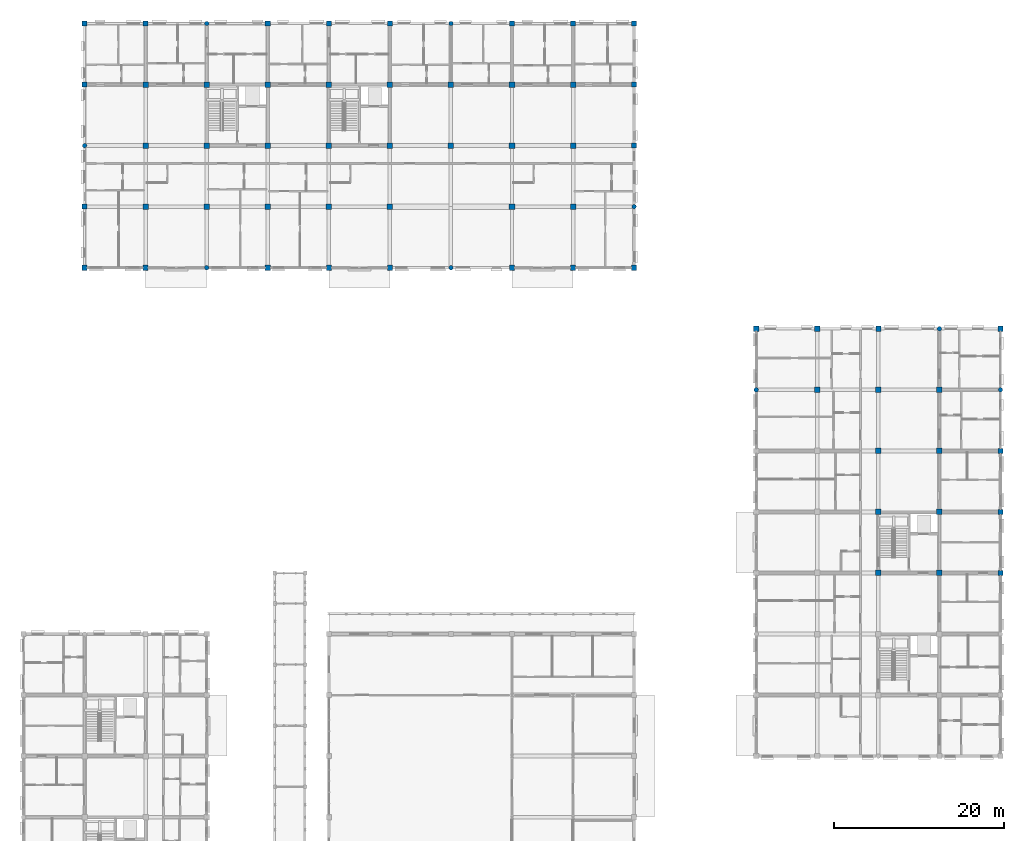
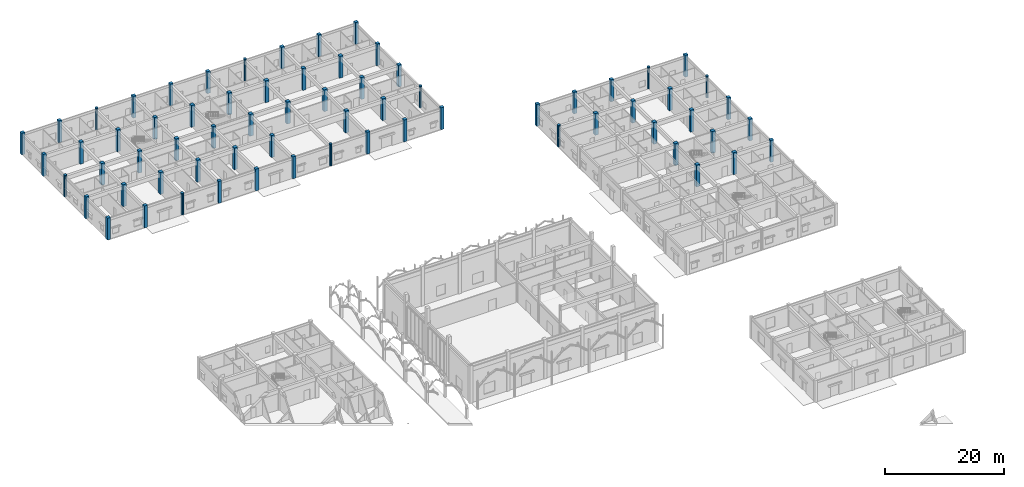
# One storey, part 13 of 138: 68 columns.
"""IFC4 building model written with IfcOpenShell, lengths in metres."""

from ifc_helpers import new_model, si_unit, direction, frame, origin, origin_2d, place, context, subcontext, project, spatial, rectangle, circle, extrude, material, material_profile, profile_set, type_object, element, save


model = new_model("IFC4")

# Units and contexts
model_context = context("Model", 3, precision=1e-05, world=origin(), true_north=direction((0.0, 1.0)))
body_context = subcontext(model_context, "Body", "Model", "MODEL_VIEW")
ifc_project = project(units=[si_unit("LENGTHUNIT", "METRE"), si_unit("AREAUNIT", "SQUARE_METRE"), si_unit("VOLUMEUNIT", "CUBIC_METRE"), si_unit("PLANEANGLEUNIT", "RADIAN"), si_unit("MASSUNIT", "GRAM", prefix="KILO"), si_unit("THERMODYNAMICTEMPERATUREUNIT", "KELVIN"), si_unit("POWERUNIT", "WATT")], contexts=[model_context])

# Site, building, storey
site_placement = place(None, origin())
site = spatial("IfcSite", under=ifc_project, at=site_placement, CompositionType="ELEMENT")
building_placement = place(site_placement, origin())
building = spatial("IfcBuilding", under=site, at=building_placement, Name="Tavuni Mirador Residences", CompositionType="ELEMENT")
storey_placement = place(building_placement, origin())
storey = spatial("IfcBuildingStorey", under=building, at=storey_placement, Name="L00", CompositionType="ELEMENT", Elevation=0.0)

# Columns
ifc_material_1 = material(Name="Precast concrete C40/50", Category="concrete")
ifc_material_profile_1 = material_profile(ifc_material_1, rectangle(XDim=0.60009765625, YDim=0.60009765625, at=origin_2d()), Name="RC 600x600", Category="concrete")
ifc_profile_set_1 = profile_set([ifc_material_profile_1], Name="Precast concrete C40/50")
column_type_1 = type_object("IfcColumnType", Name="CT-RC600", PredefinedType="COLUMN", material=ifc_profile_set_1)
for number, where, z_axis, x_axis, name in (
    (1, (10.800048828125, 144.0, 0.0), (0.0, 0.0, 1.0), (1.0, 0.0, 0.0), "COL-BLK-C-L00-00-00"),
    (2, (10.800048828125, 151.199951171875, 0.0), (0.0, 0.0, 1.0), (1.0, 0.0, 0.0), "COL-BLK-C-L00-00-01"),
    (3, (10.800048828125, 165.60009765625, 0.0), (0.0, 0.0, 1.0), (1.0, 0.0, 0.0), "COL-BLK-C-L00-00-03"),
    (4, (10.800048828125, 172.800048828125, 0.0), (0.0, 0.0, 1.0), (1.0, 0.0, 0.0), "COL-BLK-C-L00-00-04"),
    (5, (18.0, 144.0, 0.0), (0.0, 0.0, 1.0), (1.0, 0.0, 0.0), "COL-BLK-C-L00-01-00"),
    (6, (18.0, 172.800048828125, 0.0), (0.0, 0.0, 1.0), (1.0, 0.0, 0.0), "COL-BLK-C-L00-01-04"),
    (7, (32.39990234375, 144.0, 0.0), (0.0, 0.0, 1.0), (1.0, 0.0, 0.0), "COL-BLK-C-L00-03-00"),
    (8, (32.39990234375, 172.800048828125, 0.0), (0.0, 0.0, 1.0), (1.0, 0.0, 0.0), "COL-BLK-C-L00-03-04"),
    (9, (39.60009765625, 144.0, 0.0), (0.0, 0.0, 1.0), (1.0, 0.0, 0.0), "COL-BLK-C-L00-04-00"),
    (10, (39.60009765625, 172.800048828125, 0.0), (0.0, 0.0, 1.0), (1.0, 0.0, 0.0), "COL-BLK-C-L00-04-04"),
    (11, (46.800048828125, 144.0, 0.0), (0.0, 0.0, 1.0), (1.0, 0.0, 0.0), "COL-BLK-C-L00-05-00"),
    (12, (46.800048828125, 172.800048828125, 0.0), (0.0, 0.0, 1.0), (1.0, 0.0, 0.0), "COL-BLK-C-L00-05-04"),
    (13, (61.199951171875, 144.0, 0.0), (0.0, 0.0, 1.0), (1.0, 0.0, 0.0), "COL-BLK-C-L00-07-00"),
    (14, (61.199951171875, 172.800048828125, 0.0), (0.0, 0.0, 1.0), (1.0, 0.0, 0.0), "COL-BLK-C-L00-07-04"),
    (15, (68.39990234375, 144.0, 0.0), (0.0, 0.0, 1.0), (1.0, 0.0, 0.0), "COL-BLK-C-L00-08-00"),
    (16, (68.39990234375, 172.800048828125, 0.0), (0.0, 0.0, 1.0), (1.0, 0.0, 0.0), "COL-BLK-C-L00-08-04"),
    (17, (75.60009765625, 144.0, 0.0), (0.0, 0.0, 1.0), (1.0, 0.0, 0.0), "COL-BLK-C-L00-09-00"),
    (18, (75.60009765625, 158.39990234375, 0.0), (0.0, 0.0, 1.0), (1.0, 0.0, 0.0), "COL-BLK-C-L00-09-02"),
    (19, (75.60009765625, 165.60009765625, 0.0), (0.0, 0.0, 1.0), (1.0, 0.0, 0.0), "COL-BLK-C-L00-09-03"),
    (20, (75.60009765625, 172.800048828125, 0.0), (0.0, 0.0, 1.0), (1.0, 0.0, 0.0), "COL-BLK-C-L00-09-04"),
    (21, (90.0, 136.800048828125, 0.0), (0.0, 0.0, 1.0), (1.0, 0.0, 0.0), "COL-BLK-D-L00-00-07"),
    (22, (97.199951171875, 136.800048828125, 0.0), (0.0, 0.0, 1.0), (1.0, 0.0, 0.0), "COL-BLK-D-L00-01-07"),
    (23, (104.39990234375, 136.800048828125, 0.0), (0.0, 0.0, 1.0), (1.0, 0.0, 0.0), "COL-BLK-D-L00-02-07"),
    (24, (118.800048828125, 108.0, 0.0), (0.0, 0.0, 1.0), (1.0, 0.0, 0.0), "COL-BLK-D-L00-04-03"),
    (25, (118.800048828125, 115.199951171875, 0.0), (0.0, 0.0, 1.0), (1.0, 0.0, 0.0), "COL-BLK-D-L00-04-04"),
    (26, (118.800048828125, 122.39990234375, 0.0), (0.0, 0.0, 1.0), (1.0, 0.0, 0.0), "COL-BLK-D-L00-04-05"),
    (27, (118.800048828125, 136.800048828125, 0.0), (0.0, 0.0, 1.0), (1.0, 0.0, 0.0), "COL-BLK-D-L00-04-07"),
):
    element("IfcColumn", number, at=place(storey_placement, frame(where, z_axis=z_axis, x_axis=x_axis)), inside=storey, type_object=column_type_1, Name=name, PredefinedType="COLUMN", context=body_context, shape_type="SweptSolid", body=[
        extrude(rectangle(XDim=0.60009765625, YDim=0.60009765625, at=origin_2d()), origin(), (0.0, 0.0, 1.0), 4.5),
    ])
ifc_material_2 = material(Name="In-situ concrete C35/45", Category="concrete")
ifc_material_profile_2 = material_profile(ifc_material_2, rectangle(XDim=0.64990234375, YDim=0.64990234375, at=origin_2d()), Name="RC 650x650", Category="concrete")
ifc_profile_set_2 = profile_set([ifc_material_profile_2], Name="In-situ concrete C35/45")
column_type_2 = type_object("IfcColumnType", Name="CT-RC650", PredefinedType="COLUMN", material=ifc_profile_set_2)
for number, where, z_axis, x_axis, name in (
    (28, (18.0, 151.199951171875, 0.0), (0.0, 0.0, 1.0), (1.0, 0.0, 0.0), "COL-BLK-C-L00-01-01"),
    (29, (18.0, 158.39990234375, 0.0), (0.0, 0.0, 1.0), (1.0, 0.0, 0.0), "COL-BLK-C-L00-01-02"),
    (30, (18.0, 165.60009765625, 0.0), (0.0, 0.0, 1.0), (1.0, 0.0, 0.0), "COL-BLK-C-L00-01-03"),
    (31, (25.199951171875, 151.199951171875, 0.0), (0.0, 0.0, 1.0), (1.0, 0.0, 0.0), "COL-BLK-C-L00-02-01"),
    (32, (25.199951171875, 158.39990234375, 0.0), (0.0, 0.0, 1.0), (1.0, 0.0, 0.0), "COL-BLK-C-L00-02-02"),
    (33, (25.199951171875, 165.60009765625, 0.0), (0.0, 0.0, 1.0), (1.0, 0.0, 0.0), "COL-BLK-C-L00-02-03"),
    (34, (32.39990234375, 151.199951171875, 0.0), (0.0, 0.0, 1.0), (1.0, 0.0, 0.0), "COL-BLK-C-L00-03-01"),
    (35, (32.39990234375, 158.39990234375, 0.0), (0.0, 0.0, 1.0), (1.0, 0.0, 0.0), "COL-BLK-C-L00-03-02"),
    (36, (32.39990234375, 165.60009765625, 0.0), (0.0, 0.0, 1.0), (1.0, 0.0, 0.0), "COL-BLK-C-L00-03-03"),
    (37, (39.60009765625, 151.199951171875, 0.0), (0.0, 0.0, 1.0), (1.0, 0.0, 0.0), "COL-BLK-C-L00-04-01"),
    (38, (39.60009765625, 158.39990234375, 0.0), (0.0, 0.0, 1.0), (1.0, 0.0, 0.0), "COL-BLK-C-L00-04-02"),
    (39, (39.60009765625, 165.60009765625, 0.0), (0.0, 0.0, 1.0), (1.0, 0.0, 0.0), "COL-BLK-C-L00-04-03"),
    (40, (46.800048828125, 151.199951171875, 0.0), (0.0, 0.0, 1.0), (1.0, 0.0, 0.0), "COL-BLK-C-L00-05-01"),
    (41, (46.800048828125, 158.39990234375, 0.0), (0.0, 0.0, 1.0), (1.0, 0.0, 0.0), "COL-BLK-C-L00-05-02"),
    (42, (46.800048828125, 165.60009765625, 0.0), (0.0, 0.0, 1.0), (1.0, 0.0, 0.0), "COL-BLK-C-L00-05-03"),
    (43, (54.0, 158.39990234375, 0.0), (0.0, 0.0, 1.0), (1.0, 0.0, 0.0), "COL-BLK-C-L00-06-02"),
    (44, (54.0, 165.60009765625, 0.0), (0.0, 0.0, 1.0), (1.0, 0.0, 0.0), "COL-BLK-C-L00-06-03"),
    (45, (61.199951171875, 151.199951171875, 0.0), (0.0, 0.0, 1.0), (1.0, 0.0, 0.0), "COL-BLK-C-L00-07-01"),
    (46, (61.199951171875, 158.39990234375, 0.0), (0.0, 0.0, 1.0), (1.0, 0.0, 0.0), "COL-BLK-C-L00-07-02"),
    (47, (61.199951171875, 165.60009765625, 0.0), (0.0, 0.0, 1.0), (1.0, 0.0, 0.0), "COL-BLK-C-L00-07-03"),
    (48, (68.39990234375, 151.199951171875, 0.0), (0.0, 0.0, 1.0), (1.0, 0.0, 0.0), "COL-BLK-C-L00-08-01"),
    (49, (68.39990234375, 158.39990234375, 0.0), (0.0, 0.0, 1.0), (1.0, 0.0, 0.0), "COL-BLK-C-L00-08-02"),
    (50, (68.39990234375, 165.60009765625, 0.0), (0.0, 0.0, 1.0), (1.0, 0.0, 0.0), "COL-BLK-C-L00-08-03"),
    (51, (97.199951171875, 129.60009765625, 0.0), (0.0, 0.0, 1.0), (1.0, 0.0, 0.0), "COL-BLK-D-L00-01-06"),
    (52, (104.39990234375, 108.0, 0.0), (0.0, 0.0, 1.0), (1.0, 0.0, 0.0), "COL-BLK-D-L00-02-03"),
    (53, (104.39990234375, 115.199951171875, 0.0), (0.0, 0.0, 1.0), (1.0, 0.0, 0.0), "COL-BLK-D-L00-02-04"),
    (54, (104.39990234375, 122.39990234375, 0.0), (0.0, 0.0, 1.0), (1.0, 0.0, 0.0), "COL-BLK-D-L00-02-05"),
    (55, (104.39990234375, 129.60009765625, 0.0), (0.0, 0.0, 1.0), (1.0, 0.0, 0.0), "COL-BLK-D-L00-02-06"),
    (56, (111.60009765625, 108.0, 0.0), (0.0, 0.0, 1.0), (1.0, 0.0, 0.0), "COL-BLK-D-L00-03-03"),
    (57, (111.60009765625, 115.199951171875, 0.0), (0.0, 0.0, 1.0), (1.0, 0.0, 0.0), "COL-BLK-D-L00-03-04"),
    (58, (111.60009765625, 122.39990234375, 0.0), (0.0, 0.0, 1.0), (1.0, 0.0, 0.0), "COL-BLK-D-L00-03-05"),
    (59, (111.60009765625, 129.60009765625, 0.0), (0.0, 0.0, 1.0), (1.0, 0.0, 0.0), "COL-BLK-D-L00-03-06"),
):
    element("IfcColumn", number, at=place(storey_placement, frame(where, z_axis=z_axis, x_axis=x_axis)), inside=storey, type_object=column_type_2, Name=name, PredefinedType="COLUMN", context=body_context, shape_type="SweptSolid", body=[
        extrude(rectangle(XDim=0.64990234375, YDim=0.64990234375, at=origin_2d()), origin(), (0.0, 0.0, 1.0), 4.5),
    ])
ifc_material_profile_3 = material_profile(ifc_material_1, circle(Radius=0.260009765625, at=origin_2d()), Name="RC D520", Category="concrete")
ifc_profile_set_3 = profile_set([ifc_material_profile_3], Name="Precast concrete C40/50")
column_type_3 = type_object("IfcColumnType", Name="CT-RCD520", PredefinedType="COLUMN", material=ifc_profile_set_3)
for number, where, z_axis, x_axis, name in (
    (60, (10.800048828125, 158.39990234375, 0.0), (0.0, 0.0, 1.0), (1.0, 0.0, 0.0), "COL-BLK-C-L00-00-02"),
    (61, (25.199951171875, 144.0, 0.0), (0.0, 0.0, 1.0), (1.0, 0.0, 0.0), "COL-BLK-C-L00-02-00"),
    (62, (25.199951171875, 172.800048828125, 0.0), (0.0, 0.0, 1.0), (1.0, 0.0, 0.0), "COL-BLK-C-L00-02-04"),
    (63, (54.0, 144.0, 0.0), (0.0, 0.0, 1.0), (1.0, 0.0, 0.0), "COL-BLK-C-L00-06-00"),
    (64, (54.0, 172.800048828125, 0.0), (0.0, 0.0, 1.0), (1.0, 0.0, 0.0), "COL-BLK-C-L00-06-04"),
    (65, (75.60009765625, 151.199951171875, 0.0), (0.0, 0.0, 1.0), (1.0, 0.0, 0.0), "COL-BLK-C-L00-09-01"),
    (66, (90.0, 129.60009765625, 0.0), (0.0, 0.0, 1.0), (1.0, 0.0, 0.0), "COL-BLK-D-L00-00-06"),
    (67, (111.60009765625, 136.800048828125, 0.0), (0.0, 0.0, 1.0), (1.0, 0.0, 0.0), "COL-BLK-D-L00-03-07"),
    (68, (118.800048828125, 129.60009765625, 0.0), (0.0, 0.0, 1.0), (1.0, 0.0, 0.0), "COL-BLK-D-L00-04-06"),
):
    element("IfcColumn", number, at=place(storey_placement, frame(where, z_axis=z_axis, x_axis=x_axis)), inside=storey, type_object=column_type_3, Name=name, PredefinedType="COLUMN", context=body_context, shape_type="SweptSolid", body=[
        extrude(circle(Radius=0.260009765625, at=origin_2d()), origin(), (0.0, 0.0, 1.0), 4.5),
    ])

save(model, "model.ifc")
